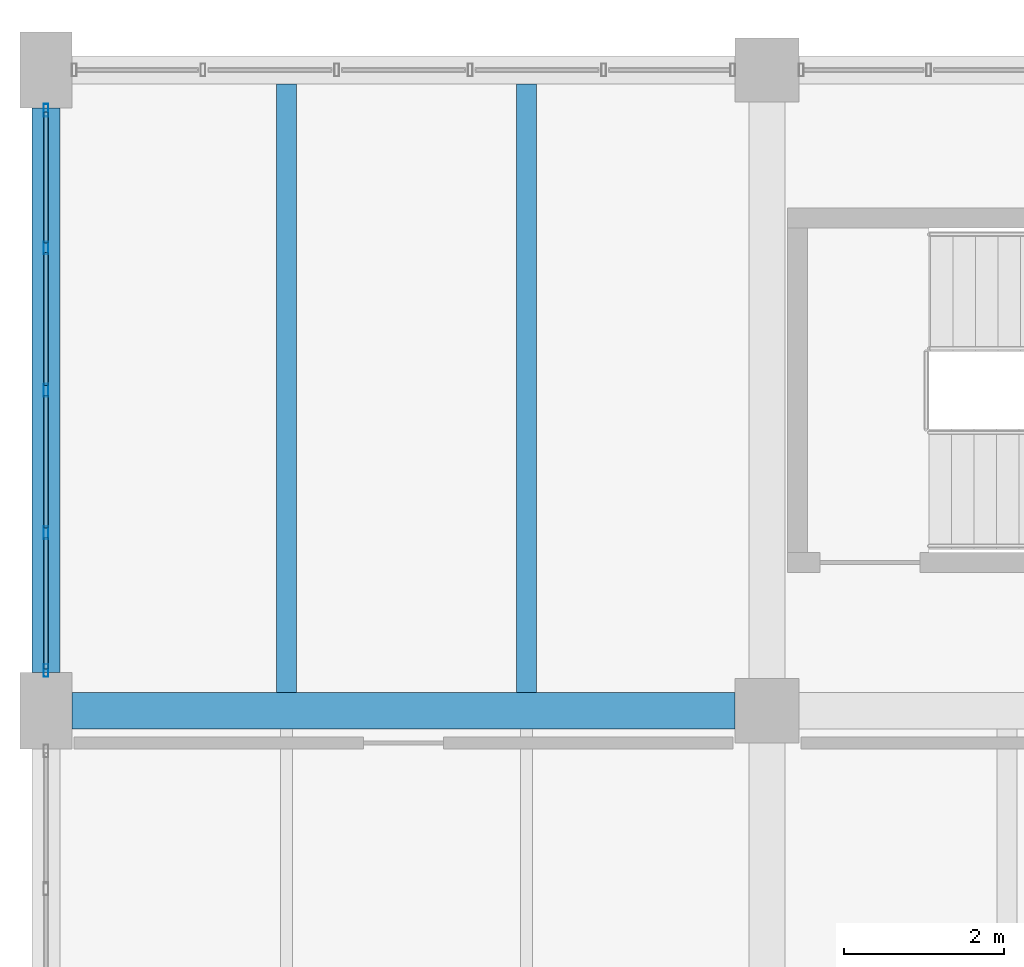
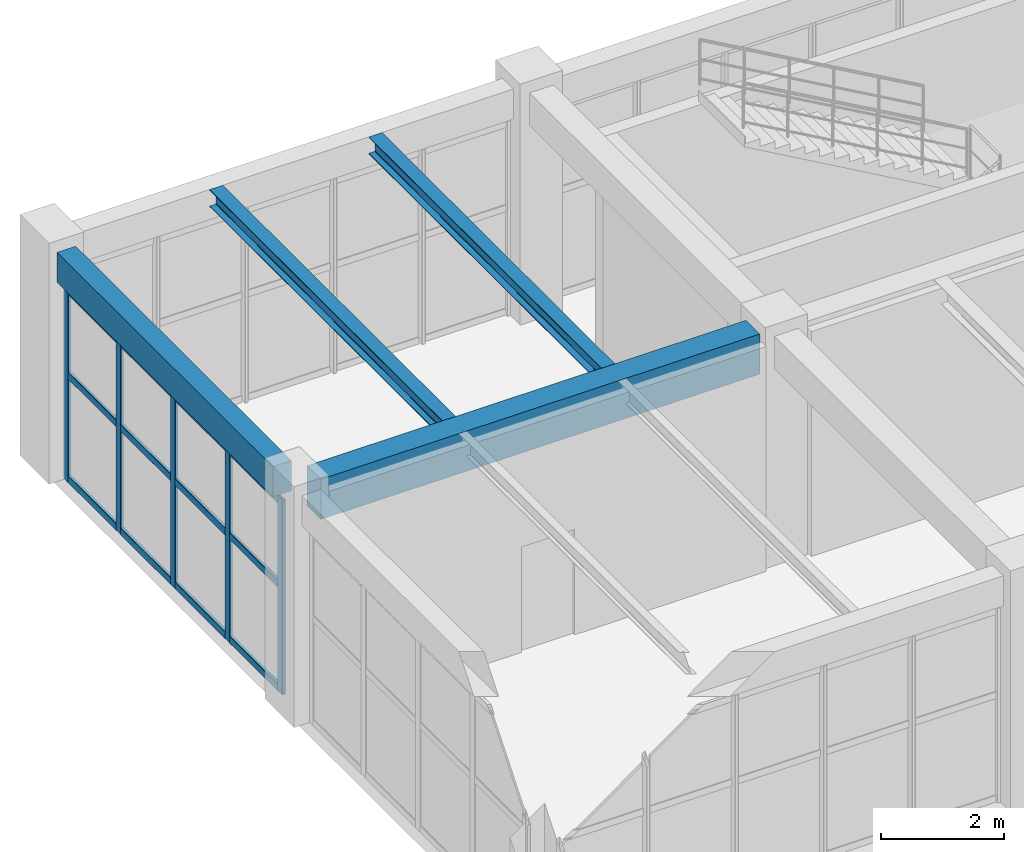
# One storey, part 82 of 178: 17 members, 4 beams, 1 element without a shape of its own.
"""IFC4 building model written with IfcOpenShell, lengths in metres."""

from ifc_helpers import new_model, si_unit, derived_unit, direction, frame, origin, origin_2d, place, context, subcontext, project, spatial, rectangle, hollow_rectangle, i_section, extrude, material, material_profile, profile_set, type_object, element, aggregate, save


model = new_model("IFC4")

# Units and contexts
model_context = context("Model", 3, precision=1e-05, world=origin(), true_north=direction((0.0, 1.0)))
body_context = subcontext(model_context, "Body", "Model", "MODEL_VIEW")
ifc_project = project(units=[si_unit("LENGTHUNIT", "METRE"), si_unit("AREAUNIT", "SQUARE_METRE"), si_unit("VOLUMEUNIT", "CUBIC_METRE"), si_unit("PLANEANGLEUNIT", "RADIAN"), si_unit("MASSUNIT", "GRAM", prefix="KILO"), derived_unit("THERMALTRANSMITTANCEUNIT", [(si_unit("MASSUNIT", "GRAM", prefix="KILO"), 1), (si_unit("TIMEUNIT", "SECOND"), -3), (si_unit("THERMODYNAMICTEMPERATUREUNIT", "KELVIN"), -1)])], contexts=[model_context])

# Site, building, storey
site_placement = place(None, origin())
site = spatial("IfcSite", under=ifc_project, at=site_placement, CompositionType="ELEMENT")
building_placement = place(site_placement, origin())
building = spatial("IfcBuilding", under=site, at=building_placement, Name="Zhenchuan Archway Interchange", CompositionType="ELEMENT")
storey_placement = place(building_placement, frame((0.0, 0.0, 5.39990234375)))
storey = spatial("IfcBuildingStorey", under=building, at=storey_placement, Name="L01", CompositionType="ELEMENT", Elevation=5.39990234375)

# Beam
ifc_material_1 = material(Name="Concrete C40", Category="concrete")
ifc_material_profile_1 = material_profile(ifc_material_1, rectangle(XDim=0.449951171875, YDim=0.800048828125, at=origin_2d()), Name="RC 450x800")
ifc_profile_set_1 = profile_set([ifc_material_profile_1], Name="Concrete C40")
beam_type_1 = type_object("IfcBeamType", Name="BM_RC_450x800", PredefinedType="BEAM", material=ifc_profile_set_1)
beam_1_placement = place(storey_placement, frame((0.324951171875, 104.0, 4.170166015625), z_axis=(1.0, 0.0, 0.0), x_axis=(0.0, 1.0, 0.0)))
element("IfcBeam", 1, at=beam_1_placement, inside=storey, type_object=beam_type_1, Name="Beam O:1-2 (L01)", PredefinedType="BEAM", context=body_context, shape_type="SweptSolid", body=[
    extrude(rectangle(XDim=0.449951171875, YDim=0.800048828125, at=origin_2d()), origin(), (0.0, 0.0, 1.0), 8.275146484375),
])

# Curtain wall, members
ifc_material_2 = material(Name="Anodised Aluminium", Category="aluminium")
curtain_wall_type = type_object("IfcCurtainWallType", Name="CW_UNIT_1", PredefinedType="NOTDEFINED", material=ifc_material_2)
curtain_wall_placement = place(storey_placement, origin())
curtain_wall = element("IfcCurtainWall", 2, at=curtain_wall_placement, inside=storey, type_object=curtain_wall_type, Name="Unitised curtain wall CW:L01:044", PredefinedType="NOTDEFINED")
ifc_material_profile_2 = material_profile(ifc_material_2, hollow_rectangle(XDim=0.06005859375, YDim=0.159912109375, WallThickness=0.00390625, InnerFilletRadius=0.00390625, OuterFilletRadius=0.008056640625, at=origin_2d()), Name="ALU 160x60x4")
ifc_profile_set_2 = profile_set([ifc_material_profile_2], Name="Anodised Aluminium")
member_type_1 = type_object("IfcMemberType", Name="CW_MUL_150", PredefinedType="MULLION", material=ifc_profile_set_2)
member_1_placement = place(storey_placement, frame((0.0, 104.5029296875, 0.0), z_axis=(0.0, 0.0, 1.0), x_axis=(1.0, 0.0, 0.0)))
member_1 = element("IfcMember", 3, at=member_1_placement, type_object=member_type_1, Name="CW:L01:044 mullion 0", PredefinedType="MULLION", context=body_context, shape_type="SweptSolid", body=[
    extrude(hollow_rectangle(XDim=0.06005859375, YDim=0.159912109375, WallThickness=0.00390625, InnerFilletRadius=0.00390625, OuterFilletRadius=0.008056640625, at=origin_2d()), origin(), (0.0, 0.0, 1.0), 3.880126953125),
])
member_2_placement = place(storey_placement, frame((0.0, 106.221435546875, 0.0), z_axis=(0.0, 0.0, 1.0), x_axis=(1.0, 0.0, 0.0)))
member_2 = element("IfcMember", 4, at=member_2_placement, type_object=member_type_1, Name="CW:L01:044 mullion 1", PredefinedType="MULLION", context=body_context, shape_type="SweptSolid", body=[
    extrude(hollow_rectangle(XDim=0.06005859375, YDim=0.159912109375, WallThickness=0.00390625, InnerFilletRadius=0.00390625, OuterFilletRadius=0.008056640625, at=origin_2d()), origin(), (0.0, 0.0, 1.0), 3.880126953125),
])
member_3_placement = place(storey_placement, frame((0.0, 108.0, 0.0), z_axis=(0.0, 0.0, 1.0), x_axis=(1.0, 0.0, 0.0)))
member_3 = element("IfcMember", 5, at=member_3_placement, type_object=member_type_1, Name="CW:L01:044 mullion 2", PredefinedType="MULLION", context=body_context, shape_type="SweptSolid", body=[
    extrude(hollow_rectangle(XDim=0.06005859375, YDim=0.159912109375, WallThickness=0.00390625, InnerFilletRadius=0.00390625, OuterFilletRadius=0.008056640625, at=origin_2d()), origin(), (0.0, 0.0, 1.0), 3.880126953125),
])
member_4_placement = place(storey_placement, frame((0.0, 109.778564453125, 0.0), z_axis=(0.0, 0.0, 1.0), x_axis=(1.0, 0.0, 0.0)))
member_4 = element("IfcMember", 6, at=member_4_placement, type_object=member_type_1, Name="CW:L01:044 mullion 3", PredefinedType="MULLION", context=body_context, shape_type="SweptSolid", body=[
    extrude(hollow_rectangle(XDim=0.06005859375, YDim=0.159912109375, WallThickness=0.00390625, InnerFilletRadius=0.00390625, OuterFilletRadius=0.008056640625, at=origin_2d()), origin(), (0.0, 0.0, 1.0), 3.880126953125),
])
member_5_placement = place(storey_placement, frame((0.0, 111.4970703125, 0.0), z_axis=(0.0, 0.0, 1.0), x_axis=(1.0, 0.0, 0.0)))
member_5 = element("IfcMember", 7, at=member_5_placement, type_object=member_type_1, Name="CW:L01:044 mullion 4", PredefinedType="MULLION", context=body_context, shape_type="SweptSolid", body=[
    extrude(hollow_rectangle(XDim=0.06005859375, YDim=0.159912109375, WallThickness=0.00390625, InnerFilletRadius=0.00390625, OuterFilletRadius=0.008056640625, at=origin_2d()), origin(), (0.0, 0.0, 1.0), 3.880126953125),
])
ifc_material_profile_3 = material_profile(ifc_material_2, hollow_rectangle(XDim=0.06005859375, YDim=0.139892578125, WallThickness=0.00341796875, InnerFilletRadius=0.00341796875, OuterFilletRadius=0.007080078125, at=origin_2d()), Name="ALU 140x60x3.5")
ifc_profile_set_3 = profile_set([ifc_material_profile_3], Name="Anodised Aluminium")
member_type_2 = type_object("IfcMemberType", Name="CW_TRN_140", PredefinedType="USERDEFINED", material=ifc_profile_set_3)
member_6_placement = place(storey_placement, frame((0.0, 104.52294921875, 0.06005859375), z_axis=(0.0, 1.0, 0.0), x_axis=(-1.0, 0.0, 0.0)))
member_6 = element("IfcMember", 8, at=member_6_placement, type_object=member_type_2, Name="CW:L01:044 transom 0-1", ObjectType="TRANSOM", PredefinedType="USERDEFINED", context=body_context, shape_type="SweptSolid", body=[
    extrude(hollow_rectangle(XDim=0.06005859375, YDim=0.139892578125, WallThickness=0.00341796875, InnerFilletRadius=0.00341796875, OuterFilletRadius=0.007080078125, at=origin_2d()), origin(), (0.0, 0.0, 1.0), 1.638671875),
])
member_7_placement = place(storey_placement, frame((0.0, 104.52294921875, 2.123046875), z_axis=(0.0, 1.0, 0.0), x_axis=(-1.0, 0.0, 0.0)))
member_7 = element("IfcMember", 9, at=member_7_placement, type_object=member_type_2, Name="CW:L01:044 transom 0-2", ObjectType="TRANSOM", PredefinedType="USERDEFINED", context=body_context, shape_type="SweptSolid", body=[
    extrude(hollow_rectangle(XDim=0.06005859375, YDim=0.139892578125, WallThickness=0.00341796875, InnerFilletRadius=0.00341796875, OuterFilletRadius=0.007080078125, at=origin_2d()), origin(), (0.0, 0.0, 1.0), 1.638671875),
])
member_8_placement = place(storey_placement, frame((0.0, 104.52294921875, 3.800048828125), z_axis=(0.0, 1.0, 0.0), x_axis=(-1.0, 0.0, 0.0)))
member_8 = element("IfcMember", 10, at=member_8_placement, type_object=member_type_2, Name="CW:L01:044 transom 0-3", ObjectType="TRANSOM", PredefinedType="USERDEFINED", context=body_context, shape_type="SweptSolid", body=[
    extrude(hollow_rectangle(XDim=0.06005859375, YDim=0.139892578125, WallThickness=0.00341796875, InnerFilletRadius=0.00341796875, OuterFilletRadius=0.007080078125, at=origin_2d()), origin(), (0.0, 0.0, 1.0), 1.638671875),
])
member_9_placement = place(storey_placement, frame((0.0, 106.281494140625, 0.06005859375), z_axis=(0.0, 1.0, 0.0), x_axis=(-1.0, 0.0, 0.0)))
member_9 = element("IfcMember", 11, at=member_9_placement, type_object=member_type_2, Name="CW:L01:044 transom 1-1", ObjectType="TRANSOM", PredefinedType="USERDEFINED", context=body_context, shape_type="SweptSolid", body=[
    extrude(hollow_rectangle(XDim=0.06005859375, YDim=0.139892578125, WallThickness=0.00341796875, InnerFilletRadius=0.00341796875, OuterFilletRadius=0.007080078125, at=origin_2d()), origin(), (0.0, 0.0, 1.0), 1.658447265625),
])
member_10_placement = place(storey_placement, frame((0.0, 106.281494140625, 2.123046875), z_axis=(0.0, 1.0, 0.0), x_axis=(-1.0, 0.0, 0.0)))
member_10 = element("IfcMember", 12, at=member_10_placement, type_object=member_type_2, Name="CW:L01:044 transom 1-2", ObjectType="TRANSOM", PredefinedType="USERDEFINED", context=body_context, shape_type="SweptSolid", body=[
    extrude(hollow_rectangle(XDim=0.06005859375, YDim=0.139892578125, WallThickness=0.00341796875, InnerFilletRadius=0.00341796875, OuterFilletRadius=0.007080078125, at=origin_2d()), origin(), (0.0, 0.0, 1.0), 1.658447265625),
])
member_11_placement = place(storey_placement, frame((0.0, 106.281494140625, 3.800048828125), z_axis=(0.0, 1.0, 0.0), x_axis=(-1.0, 0.0, 0.0)))
member_11 = element("IfcMember", 13, at=member_11_placement, type_object=member_type_2, Name="CW:L01:044 transom 1-3", ObjectType="TRANSOM", PredefinedType="USERDEFINED", context=body_context, shape_type="SweptSolid", body=[
    extrude(hollow_rectangle(XDim=0.06005859375, YDim=0.139892578125, WallThickness=0.00341796875, InnerFilletRadius=0.00341796875, OuterFilletRadius=0.007080078125, at=origin_2d()), origin(), (0.0, 0.0, 1.0), 1.658447265625),
])
member_12_placement = place(storey_placement, frame((0.0, 108.06005859375, 0.06005859375), z_axis=(0.0, 1.0, 0.0), x_axis=(-1.0, 0.0, 0.0)))
member_12 = element("IfcMember", 14, at=member_12_placement, type_object=member_type_2, Name="CW:L01:044 transom 2-1", ObjectType="TRANSOM", PredefinedType="USERDEFINED", context=body_context, shape_type="SweptSolid", body=[
    extrude(hollow_rectangle(XDim=0.06005859375, YDim=0.139892578125, WallThickness=0.00341796875, InnerFilletRadius=0.00341796875, OuterFilletRadius=0.007080078125, at=origin_2d()), origin(), (0.0, 0.0, 1.0), 1.658447265625),
])
member_13_placement = place(storey_placement, frame((0.0, 108.06005859375, 2.123046875), z_axis=(0.0, 1.0, 0.0), x_axis=(-1.0, 0.0, 0.0)))
member_13 = element("IfcMember", 15, at=member_13_placement, type_object=member_type_2, Name="CW:L01:044 transom 2-2", ObjectType="TRANSOM", PredefinedType="USERDEFINED", context=body_context, shape_type="SweptSolid", body=[
    extrude(hollow_rectangle(XDim=0.06005859375, YDim=0.139892578125, WallThickness=0.00341796875, InnerFilletRadius=0.00341796875, OuterFilletRadius=0.007080078125, at=origin_2d()), origin(), (0.0, 0.0, 1.0), 1.658447265625),
])
member_14_placement = place(storey_placement, frame((0.0, 108.06005859375, 3.800048828125), z_axis=(0.0, 1.0, 0.0), x_axis=(-1.0, 0.0, 0.0)))
member_14 = element("IfcMember", 16, at=member_14_placement, type_object=member_type_2, Name="CW:L01:044 transom 2-3", ObjectType="TRANSOM", PredefinedType="USERDEFINED", context=body_context, shape_type="SweptSolid", body=[
    extrude(hollow_rectangle(XDim=0.06005859375, YDim=0.139892578125, WallThickness=0.00341796875, InnerFilletRadius=0.00341796875, OuterFilletRadius=0.007080078125, at=origin_2d()), origin(), (0.0, 0.0, 1.0), 1.658447265625),
])
member_15_placement = place(storey_placement, frame((0.0, 109.83837890625, 0.06005859375), z_axis=(0.0, 1.0, 0.0), x_axis=(-1.0, 0.0, 0.0)))
member_15 = element("IfcMember", 17, at=member_15_placement, type_object=member_type_2, Name="CW:L01:044 transom 3-1", ObjectType="TRANSOM", PredefinedType="USERDEFINED", context=body_context, shape_type="SweptSolid", body=[
    extrude(hollow_rectangle(XDim=0.06005859375, YDim=0.139892578125, WallThickness=0.00341796875, InnerFilletRadius=0.00341796875, OuterFilletRadius=0.007080078125, at=origin_2d()), origin(), (0.0, 0.0, 1.0), 1.638671875),
])
member_16_placement = place(storey_placement, frame((0.0, 109.83837890625, 2.123046875), z_axis=(0.0, 1.0, 0.0), x_axis=(-1.0, 0.0, 0.0)))
member_16 = element("IfcMember", 18, at=member_16_placement, type_object=member_type_2, Name="CW:L01:044 transom 3-2", ObjectType="TRANSOM", PredefinedType="USERDEFINED", context=body_context, shape_type="SweptSolid", body=[
    extrude(hollow_rectangle(XDim=0.06005859375, YDim=0.139892578125, WallThickness=0.00341796875, InnerFilletRadius=0.00341796875, OuterFilletRadius=0.007080078125, at=origin_2d()), origin(), (0.0, 0.0, 1.0), 1.638671875),
])
member_17_placement = place(storey_placement, frame((0.0, 109.83837890625, 3.800048828125), z_axis=(0.0, 1.0, 0.0), x_axis=(-1.0, 0.0, 0.0)))
member_17 = element("IfcMember", 19, at=member_17_placement, type_object=member_type_2, Name="CW:L01:044 transom 3-3", ObjectType="TRANSOM", PredefinedType="USERDEFINED", context=body_context, shape_type="SweptSolid", body=[
    extrude(hollow_rectangle(XDim=0.06005859375, YDim=0.139892578125, WallThickness=0.00341796875, InnerFilletRadius=0.00341796875, OuterFilletRadius=0.007080078125, at=origin_2d()), origin(), (0.0, 0.0, 1.0), 1.638671875),
])
aggregate(curtain_wall, [member_1, member_2, member_3, member_4, member_5, member_6, member_7, member_8, member_9, member_10, member_11, member_12, member_13, member_14, member_15, member_16, member_17])

# Beams
ifc_material_3 = material(Name="Steel Q355", Category="steel")
ifc_material_profile_4 = material_profile(ifc_material_3, i_section(OverallWidth=0.25, OverallDepth=0.340087890625, WebThickness=0.009033203125, FlangeThickness=0.013916015625, FilletRadius=0.01806640625, at=origin_2d()), Name="HM 340x250")
ifc_profile_set_4 = profile_set([ifc_material_profile_4], Name="Steel Q355")
beam_type_2 = type_object("IfcBeamType", Name="JST_STL_HM340", PredefinedType="JOIST", material=ifc_profile_set_4)
for number, where, z_axis, x_axis, name in (
    (20, (3.0, 104.22509765625, 4.400146484375), (0.0, 1.0, 0.0), (-1.0, 0.0, 0.0), "Secondary joist 1-2/O-P #1 (L01)"),
    (21, (6.0, 104.22509765625, 4.400146484375), (0.0, 1.0, 0.0), (-1.0, 0.0, 0.0), "Secondary joist 1-2/O-P #2 (L01)"),
):
    element("IfcBeam", number, at=place(storey_placement, frame(where, z_axis=z_axis, x_axis=x_axis)), inside=storey, type_object=beam_type_2, Name=name, PredefinedType="JOIST", context=body_context, shape_type="SweptSolid", body=[
        extrude(i_section(OverallWidth=0.25, OverallDepth=0.340087890625, WebThickness=0.009033203125, FlangeThickness=0.013916015625, FilletRadius=0.01806640625, at=origin_2d()), origin(), (0.0, 0.0, 1.0), 7.599853515625),
    ])
ifc_material_profile_5 = material_profile(ifc_material_1, rectangle(XDim=0.35009765625, YDim=0.60009765625, at=origin_2d()), Name="RC 350x600")
ifc_profile_set_5 = profile_set([ifc_material_profile_5], Name="Concrete C40")
beam_type_3 = type_object("IfcBeamType", Name="SP_RC_350x600", PredefinedType="SPANDREL", material=ifc_profile_set_5)
beam_2_placement = place(storey_placement, frame((0.0, 104.47509765625, 4.27001953125), z_axis=(0.0, 1.0, 0.0), x_axis=(-1.0, 0.0, 0.0)))
element("IfcBeam", 22, at=beam_2_placement, inside=storey, type_object=beam_type_3, Name="Beam 1:O-P (L01)", PredefinedType="SPANDREL", context=body_context, shape_type="SweptSolid", body=[
    extrude(rectangle(XDim=0.35009765625, YDim=0.60009765625, at=origin_2d()), origin(), (0.0, 0.0, 1.0), 7.0498046875),
])

save(model, "model.ifc")
